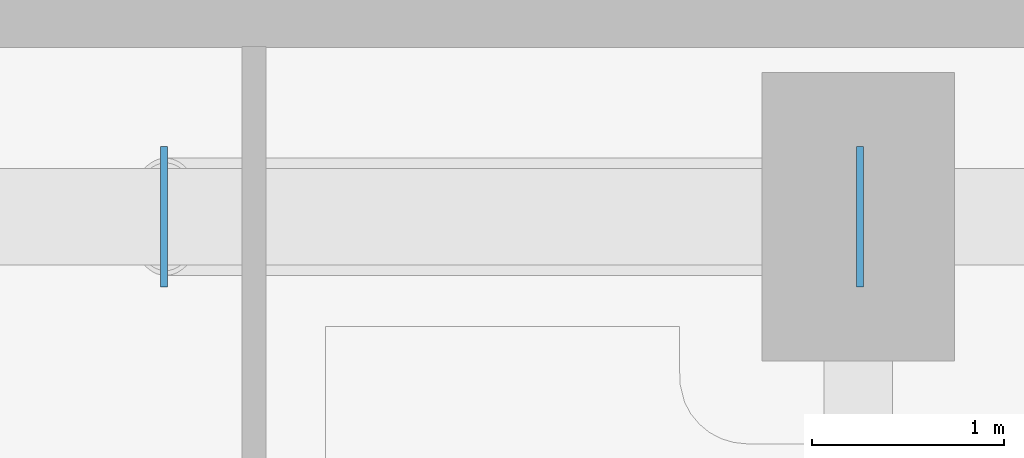
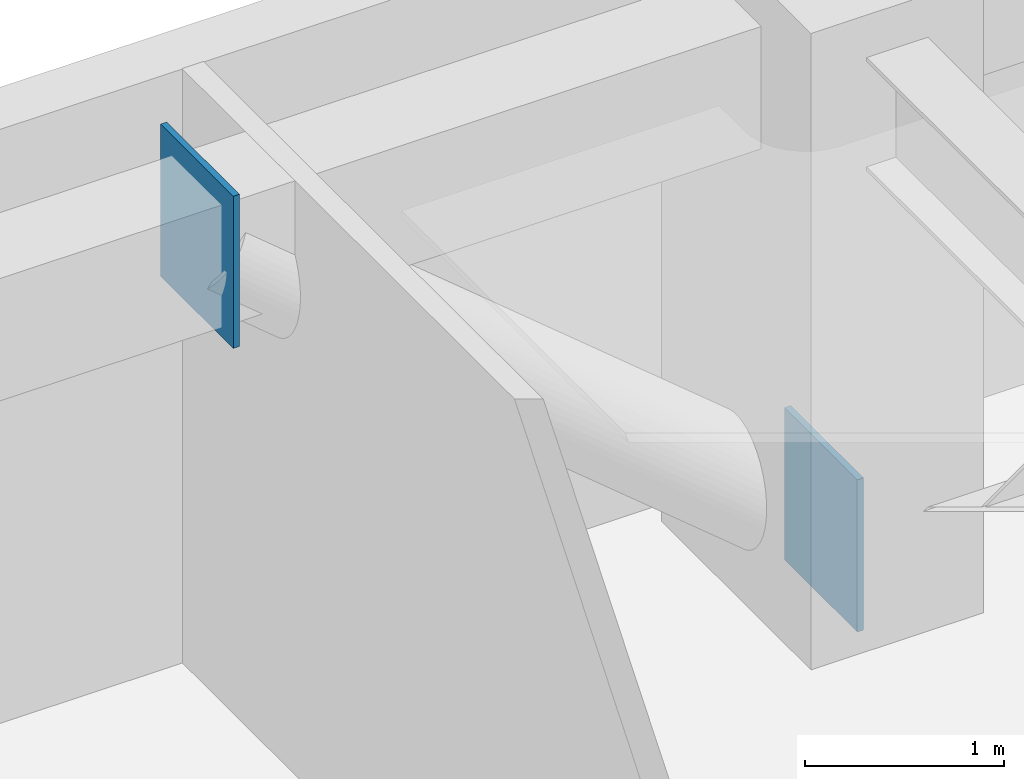
# One storey, part 21 of 28: 2 plates.
"""IFC4 building model written with IfcOpenShell, lengths in metres."""

from ifc_helpers import new_model, si_unit, direction, frame, origin, origin_2d, place, context, subcontext, project, spatial, rectangle, extrude, material, layer, layer_set, type_object, element, save


model = new_model("IFC4")

# Units and contexts
model_context = context("Model", 3, precision=1e-05, world=origin(), true_north=direction((0.0, 1.0)))
body_context = subcontext(model_context, "Body", "Model", "MODEL_VIEW")
ifc_project = project(units=[si_unit("LENGTHUNIT", "METRE"), si_unit("AREAUNIT", "SQUARE_METRE"), si_unit("VOLUMEUNIT", "CUBIC_METRE"), si_unit("PLANEANGLEUNIT", "RADIAN"), si_unit("MASSUNIT", "GRAM", prefix="KILO")], contexts=[model_context])

# Site, building, storey
site_placement = place(None, origin())
site = spatial("IfcSite", under=ifc_project, at=site_placement, CompositionType="ELEMENT")
building_placement = place(site_placement, origin())
building = spatial("IfcBuilding", under=site, at=building_placement, Name="Kiyonajd Concourse Tower", CompositionType="ELEMENT")
storey_placement = place(building_placement, frame((0.0, 0.0, 41.10009765625)))
storey = spatial("IfcBuildingStorey", under=building, at=storey_placement, Name="L11", CompositionType="ELEMENT", Elevation=41.10009765625)

# Plates
ifc_material = material(Name="Steel ASTM A572 Grade 50", Category="steel")
ifc_layer = layer(ifc_material, 0.028076171875)
ifc_layer_set = layer_set([ifc_layer], Name="Steel ASTM A572 Grade 50")
plate_type = type_object("IfcPlateType", Name="PL-CAP-450", PredefinedType="USERDEFINED", material=ifc_layer_set)
for number, where, z_axis, x_axis, name in (
    (1, (63.6083984375, 61.199951171875, -0.173583984375), (0.0, 0.0, 1.0), (1.0, 0.0, 0.0), "L11 Hollow Brace End Cap Plate PBN"),
    (2, (59.991455078125, 61.199951171875, 2.830322265625), (0.0, 0.0, 1.0), (-1.0, 0.0, 0.0), "L11 Hollow Brace Top Cap Plate PBN"),
):
    element("IfcPlate", number, at=place(storey_placement, frame(where, z_axis=z_axis, x_axis=x_axis)), inside=storey, type_object=plate_type, Name=name, ObjectType="CAP PLATE", PredefinedType="USERDEFINED", context=body_context, shape_type="SweptSolid", body=[
        extrude(rectangle(XDim=0.035888671875, YDim=0.72998046875, at=origin_2d()), origin(), (0.0, 0.0, 1.0), 0.93310546875),
    ])

save(model, "model.ifc")
